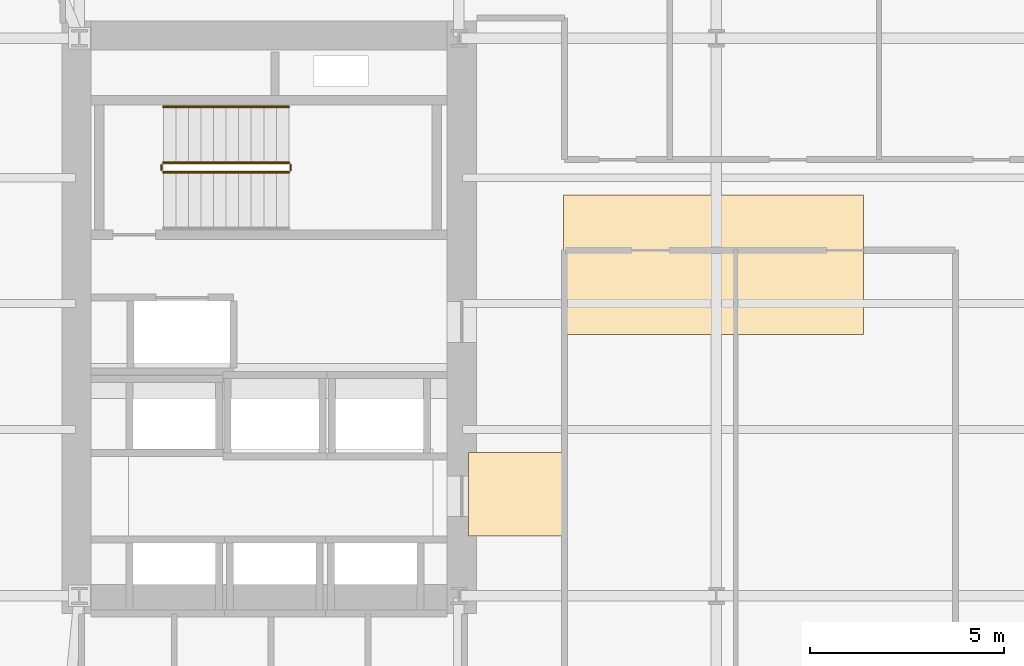
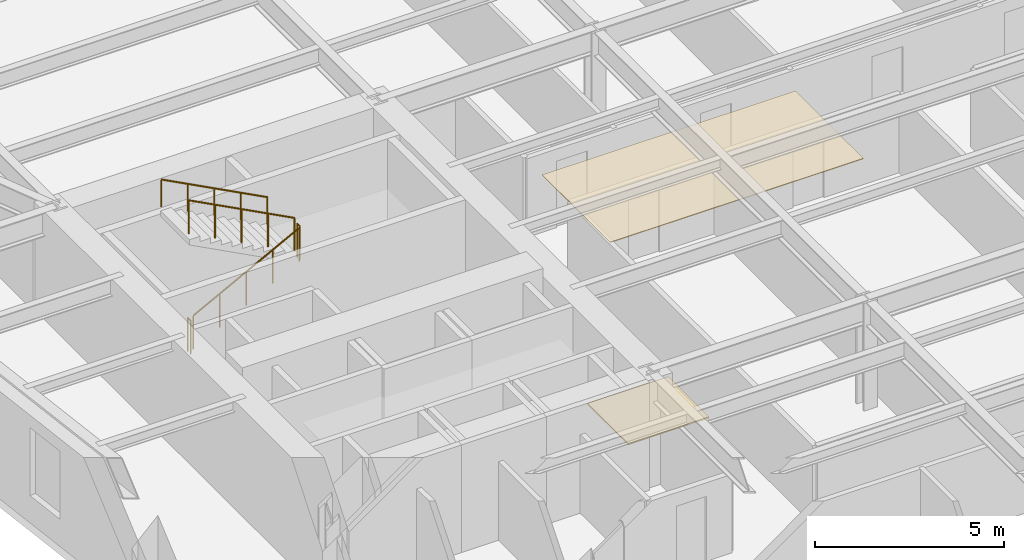
# One storey, part 10 of 15: 5 railings, 2 coverings.
"""IFC4 building model written with IfcOpenShell, lengths in metres."""

from ifc_helpers import new_model, si_unit, direction, frame, origin, origin_2d, place, context, subcontext, project, spatial, polyline, circle, outline, extrude, material, layer, layer_set, type_object, element, save


model = new_model("IFC4")

# Units and contexts
model_context = context("Model", 3, precision=1e-05, world=origin(), true_north=direction((0.0, 1.0)))
body_context = subcontext(model_context, "Body", "Model", "MODEL_VIEW")
ifc_project = project(units=[si_unit("LENGTHUNIT", "METRE"), si_unit("AREAUNIT", "SQUARE_METRE"), si_unit("VOLUMEUNIT", "CUBIC_METRE"), si_unit("PLANEANGLEUNIT", "RADIAN"), si_unit("MASSUNIT", "GRAM", prefix="KILO")], contexts=[model_context])

# Site, building, storey
site_placement = place(None, origin())
site = spatial("IfcSite", under=ifc_project, at=site_placement, CompositionType="ELEMENT")
building_placement = place(site_placement, origin())
building = spatial("IfcBuilding", under=site, at=building_placement, Name="Kolvaren Arena Tower", CompositionType="ELEMENT")
storey_placement = place(building_placement, frame((0.0, 0.0, 107.199951171875)))
storey = spatial("IfcBuildingStorey", under=building, at=storey_placement, Name="L24", CompositionType="ELEMENT", Elevation=107.199951171875)

# Coverings
ifc_material_1 = material(Name="Mineral fibre acoustic ceiling tile", Category="gypsum")
ifc_layer_1 = layer(ifc_material_1, 0.02490234375)
ifc_layer_set_1 = layer_set([ifc_layer_1], Name="Mineral fibre acoustic ceiling tile")
covering_type_1 = type_object("IfcCoveringType", Name="CEIL-ACT-1", PredefinedType="CEILING", material=ifc_layer_set_1)
covering_1_placement = place(storey_placement, frame((0.0, 0.0, 2.52001953125)))
element("IfcCovering", 1, at=covering_1_placement, inside=storey, type_object=covering_type_1, Name="Suspended Ceiling (L24)", PredefinedType="CEILING", context=body_context, shape_type="SweptSolid", body=[
    extrude(outline(polyline([(27.050048828125, 26.199951171875), (27.050048828125, 29.800048828125), (34.800048828125, 29.800048828125), (34.800048828125, 26.199951171875), (27.050048828125, 26.199951171875)])), origin(), (0.0, 0.0, 1.0), 0.025146484375),
])
ifc_material_2 = material(Name="Raised access office floor finish", Category="aluminium")
ifc_layer_2 = layer(ifc_material_2, 0.044921875)
ifc_layer_set_2 = layer_set([ifc_layer_2], Name="Raised access office floor finish")
covering_type_2 = type_object("IfcCoveringType", Name="FLOR-RAF-1", PredefinedType="FLOORING", material=ifc_layer_set_2)
covering_2_placement = place(storey_placement, origin())
element("IfcCovering", 2, at=covering_2_placement, inside=storey, type_object=covering_type_2, Name="Floor Finish (L24)", PredefinedType="FLOORING", context=body_context, shape_type="SweptSolid", body=[
    extrude(outline(polyline([(24.60009765625, 21.0), (24.60009765625, 23.14990234375), (27.080078125, 23.14990234375), (27.080078125, 21.0), (24.60009765625, 21.0)])), origin(), (0.0, 0.0, 1.0), 0.045166015625),
])

# Railings
ifc_material_3 = material(Name="Painted galvanized steel", Category="steel")
railing_type_1 = type_object("IfcRailingType", Name="GUARD-ST-110", PredefinedType="GUARDRAIL", material=ifc_material_3)
railing_1_placement = place(storey_placement, frame((16.719970703125, 30.389892578125, 0.17041015625)))
element("IfcRailing", 3, at=railing_1_placement, inside=storey, type_object=railing_type_1, Name="L24 ST-W1 stair guard 1", PredefinedType="GUARDRAIL", context=body_context, shape_type="SweptSolid", body=[
    extrude(circle(Radius=0.02392578125, at=origin_2d()), frame((0.0, 0.0, 1.076171875), z_axis=(0.884993431791, 0.0, 0.465603506952), x_axis=(0.0, 1.0, 0.0)), (0.0, 0.0, 1.0), 3.6611328125),
    extrude(circle(Radius=0.02099609375, at=origin_2d()), origin(), (0.0, 0.0, 1.0), 1.052001953125),
    extrude(circle(Radius=0.02099609375, at=origin_2d()), frame((0.81005859375, 0.0, 0.42626953125)), (0.0, 0.0, 1.0), 1.052001953125),
    extrude(circle(Radius=0.02099609375, at=origin_2d()), frame((1.6201171875, 0.0, 0.852294921875)), (0.0, 0.0, 1.0), 1.052001953125),
    extrude(circle(Radius=0.02099609375, at=origin_2d()), frame((2.429931640625, 0.0, 1.2783203125)), (0.0, 0.0, 1.0), 1.052001953125),
    extrude(circle(Radius=0.02099609375, at=origin_2d()), frame((3.239990234375, 0.0, 1.70458984375)), (0.0, 0.0, 1.0), 1.052001953125),
])
railing_2_placement = place(storey_placement, frame((20.010009765625, 30.43994140625, 1.875)))
element("IfcRailing", 4, at=railing_2_placement, inside=storey, type_object=railing_type_1, Name="L24 ST-W1 stair guard 2", PredefinedType="GUARDRAIL", context=body_context, shape_type="SweptSolid", body=[
    extrude(circle(Radius=0.02392578125, at=origin_2d()), frame((0.0, 0.0, 1.076171875), z_axis=(0.0, 1.0, 0.0), x_axis=(-1.0, 0.0, 0.0)), (0.0, 0.0, 1.0), 0.150146484375),
    extrude(circle(Radius=0.02099609375, at=origin_2d()), origin(), (0.0, 0.0, 1.0), 1.052001953125),
    extrude(circle(Radius=0.02099609375, at=origin_2d()), frame((0.0, 0.150146484375, 0.0)), (0.0, 0.0, 1.0), 1.052001953125),
])
railing_3_placement = place(storey_placement, frame((19.9599609375, 30.639892578125, 2.04541015625)))
element("IfcRailing", 5, at=railing_3_placement, inside=storey, type_object=railing_type_1, Name="L24 ST-W1 stair guard 3", PredefinedType="GUARDRAIL", context=body_context, shape_type="SweptSolid", body=[
    extrude(circle(Radius=0.02392578125, at=origin_2d()), frame((0.0, 0.0, 1.076171875), z_axis=(-0.884993431791, 0.0, 0.465603506952), x_axis=(0.0, -1.0, 0.0)), (0.0, 0.0, 1.0), 3.6611328125),
    extrude(circle(Radius=0.02099609375, at=origin_2d()), origin(), (0.0, 0.0, 1.0), 1.052001953125),
    extrude(circle(Radius=0.02099609375, at=origin_2d()), frame((-0.81005859375, 0.0, 0.42626953125)), (0.0, 0.0, 1.0), 1.052001953125),
    extrude(circle(Radius=0.02099609375, at=origin_2d()), frame((-1.6201171875, 0.0, 0.852294921875)), (0.0, 0.0, 1.0), 1.052001953125),
    extrude(circle(Radius=0.02099609375, at=origin_2d()), frame((-2.429931640625, 0.0, 1.2783203125)), (0.0, 0.0, 1.0), 1.052001953125),
    extrude(circle(Radius=0.02099609375, at=origin_2d()), frame((-3.239990234375, 0.0, 1.70458984375)), (0.0, 0.0, 1.0), 1.052001953125),
])
railing_4_placement = place(storey_placement, frame((16.669921875, 30.43994140625, 0.0)))
element("IfcRailing", 6, at=railing_4_placement, inside=storey, type_object=railing_type_1, Name="L24 ST-W1 stair guard 4", PredefinedType="GUARDRAIL", context=body_context, shape_type="SweptSolid", body=[
    extrude(circle(Radius=0.02392578125, at=origin_2d()), frame((0.0, 0.0, 1.076171875), z_axis=(0.0, 1.0, 0.0), x_axis=(-1.0, 0.0, 0.0)), (0.0, 0.0, 1.0), 0.150146484375),
    extrude(circle(Radius=0.02099609375, at=origin_2d()), origin(), (0.0, 0.0, 1.0), 1.052001953125),
    extrude(circle(Radius=0.02099609375, at=origin_2d()), frame((0.0, 0.150146484375, 0.0)), (0.0, 0.0, 1.0), 1.052001953125),
])
ifc_material_4 = material(Name="Brushed stainless steel handrail", Category="steel")
railing_type_2 = type_object("IfcRailingType", Name="HRAIL-900", PredefinedType="HANDRAIL", material=ifc_material_4)
railing_5_placement = place(storey_placement, frame((19.9599609375, 32.080078125, 2.04541015625)))
element("IfcRailing", 7, at=railing_5_placement, inside=storey, type_object=railing_type_2, Name="L24 ST-W1 stair handrail 2", PredefinedType="HANDRAIL", context=body_context, shape_type="SweptSolid", body=[
    extrude(circle(Radius=0.02392578125, at=origin_2d()), frame((0.0, 0.0, 0.8759765625), z_axis=(-0.884993431791, 0.0, 0.465603506952), x_axis=(0.0, -1.0, 0.0)), (0.0, 0.0, 1.0), 3.6611328125),
    extrude(circle(Radius=0.02099609375, at=origin_2d()), origin(), (0.0, 0.0, 1.0), 0.851806640625),
    extrude(circle(Radius=0.02099609375, at=origin_2d()), frame((-0.81005859375, 0.0, 0.42626953125)), (0.0, 0.0, 1.0), 0.851806640625),
    extrude(circle(Radius=0.02099609375, at=origin_2d()), frame((-1.6201171875, 0.0, 0.852294921875)), (0.0, 0.0, 1.0), 0.851806640625),
    extrude(circle(Radius=0.02099609375, at=origin_2d()), frame((-2.429931640625, 0.0, 1.2783203125)), (0.0, 0.0, 1.0), 0.851806640625),
    extrude(circle(Radius=0.02099609375, at=origin_2d()), frame((-3.239990234375, 0.0, 1.70458984375)), (0.0, 0.0, 1.0), 0.851806640625),
])

save(model, "model.ifc")
